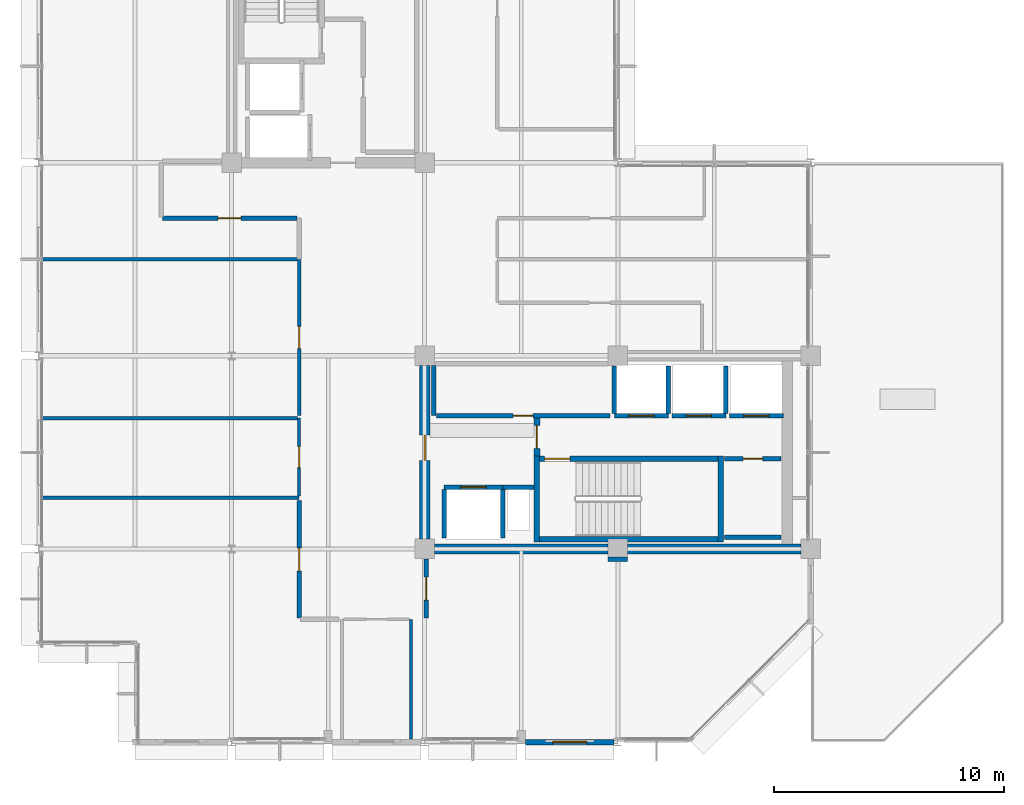
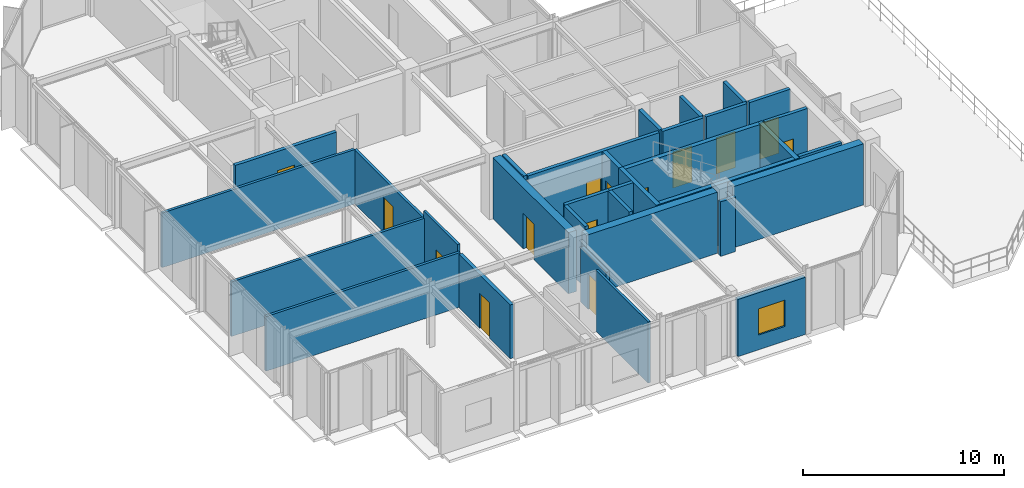
# One storey, part 17 of 23: 33 walls, 14 doors, 1 window, 15 openings.
"""IFC4 building model written with IfcOpenShell, lengths in metres."""

from ifc_helpers import new_model, si_unit, direction, frame, frame_2d, origin, place, context, subcontext, project, spatial, rectangle, extrude, material, layer, layer_set, type_object, element, fill, save


model = new_model("IFC4")

# Units and contexts
model_context = context("Model", 3, precision=1e-05, world=origin(), true_north=direction((0.0, 1.0)))
body_context = subcontext(model_context, "Body", "Model", "MODEL_VIEW")
ifc_project = project(units=[si_unit("LENGTHUNIT", "METRE"), si_unit("AREAUNIT", "SQUARE_METRE"), si_unit("VOLUMEUNIT", "CUBIC_METRE"), si_unit("PLANEANGLEUNIT", "RADIAN"), si_unit("MASSUNIT", "GRAM", prefix="KILO")], contexts=[model_context])

# Site, building, storey
site_placement = place(None, origin())
site = spatial("IfcSite", under=ifc_project, at=site_placement, CompositionType="ELEMENT")
building_placement = place(site_placement, origin())
building = spatial("IfcBuilding", under=site, at=building_placement, Name="Nerrivon Quay Data Exchange", CompositionType="ELEMENT")
storey_placement = place(building_placement, frame((0.0, 0.0, 286.199951171875)))
storey = spatial("IfcBuildingStorey", under=building, at=storey_placement, Name="L68", CompositionType="ELEMENT", Elevation=286.199951171875)

# Wall, opening, window
ifc_material_1 = material(Name="Architectural terracotta precast concrete N50 (50 MPa)", Category="masonry")
ifc_layer_1 = layer(ifc_material_1, 0.239990234375)
ifc_layer_set_1 = layer_set([ifc_layer_1], Name="Architectural terracotta precast concrete N50 (50 MPa)")
wall_type_1 = type_object("IfcWallType", Name="EW-PREC-240", PredefinedType="STANDARD", material=ifc_layer_set_1)
wall_1_placement = place(storey_placement, frame((25.04443359375, 0.0, 0.0), z_axis=(0.0, 0.0, 1.0), x_axis=(-1.0, 0.0, 0.0)))
wall_1 = element("IfcWall", 1, at=wall_1_placement, inside=storey, type_object=wall_type_1, Name="L68 Podium Precast Spandrel Wall 3", PredefinedType="STANDARD", context=body_context, shape_type="SweptSolid", body=[
    extrude(rectangle(XDim=3.869384765625, YDim=0.239990234375, at=frame_2d((1.9345703125, 0.0))), origin(), (0.0, 0.0, 1.0), 3.47509765625),
])
opening_1_placement = place(wall_1_placement, frame((1.184814453125, 0.0, 0.89990234375)))
opening_1 = element("IfcOpeningElement", 2, at=opening_1_placement, cuts=wall_1, Name="Opening WN4", PredefinedType="OPENING", context=body_context, shape_type="SweptSolid", body=[
    extrude(rectangle(XDim=1.5, YDim=1.60009765625, at=frame_2d((0.75, 0.800048828125))), frame((0.0, 0.1298828125, 0.0), z_axis=(0.0, -1.0, 0.0), x_axis=(1.0, 0.0, 0.0)), (0.0, 0.0, 1.0), 0.260009765625),
])
ifc_material_2 = material(Name="Double-glazed low-E solar control glass", Category="glass")
window_type = type_object("IfcWindowType", Name="WIN-W4-1500x1600", PartitioningType="SINGLE_PANEL", PredefinedType="WINDOW", material=ifc_material_2)
window_placement = place(opening_1_placement, origin())
window = element("IfcWindow", 3, at=window_placement, inside=storey, type_object=window_type, Name="L68 Solar Facade Window 3", OverallHeight=1.60009765625, OverallWidth=1.5, PartitioningType="SINGLE_PANEL", PredefinedType="WINDOW", context=body_context, shape_type="SweptSolid", body=[
    extrude(rectangle(XDim=1.5, YDim=1.60009765625, at=frame_2d((0.75, 0.800048828125))), frame((0.0, 0.030029296875, 0.0), z_axis=(0.0, -1.0, 0.0), x_axis=(1.0, 0.0, 0.0)), (0.0, 0.0, 1.0), 0.06005859375),
])
fill(opening_1, window)

# Walls
ifc_material_3 = material(Name="Concrete N50 (50 MPa)", Category="concrete")
ifc_layer_2 = layer(ifc_material_3, 0.449951171875)
ifc_layer_set_2 = layer_set([ifc_layer_2], Name="Concrete N50 (50 MPa)")
wall_type_2 = type_object("IfcWallType", Name="WALL-CW-550", PredefinedType="SHEAR", material=ifc_layer_set_2)
wall_2_placement = place(storey_placement, frame((17.22509765625, 8.39990234375, 0.0), z_axis=(0.0, 0.0, 1.0), x_axis=(1.0, 0.0, 0.0)))
element("IfcWall", 4, at=wall_2_placement, inside=storey, type_object=wall_type_2, Name="L68 East Split-Core Shear Wall ECW-S1", PredefinedType="SHEAR", context=body_context, shape_type="SweptSolid", body=[
    extrude(rectangle(XDim=7.5498046875, YDim=0.449951171875, at=frame_2d((3.77490234375, 0.0))), origin(), (0.0, 0.0, 1.0), 3.72509765625),
])
wall_3_placement = place(storey_placement, frame((25.625, 8.39990234375, 0.0), z_axis=(0.0, 0.0, 1.0), x_axis=(1.0, 0.0, 0.0)))
element("IfcWall", 5, at=wall_3_placement, inside=storey, type_object=wall_type_2, Name="L68 East Split-Core Shear Wall ECW-S2", PredefinedType="SHEAR", context=body_context, shape_type="SweptSolid", body=[
    extrude(rectangle(XDim=7.550048828125, YDim=0.449951171875, at=frame_2d((3.77490234375, 0.0))), origin(), (0.0, 0.0, 1.0), 3.72509765625),
])

# Wall, opening, door
wall_4_placement = place(storey_placement, frame((16.800048828125, 8.824951171875, 0.0), z_axis=(0.0, 0.0, 1.0), x_axis=(0.0, 1.0, 0.0)))
wall_4 = element("IfcWall", 6, at=wall_4_placement, inside=storey, type_object=wall_type_2, Name="L68 East Split-Core Shear Wall ECW-W1", PredefinedType="SHEAR", context=body_context, shape_type="SweptSolid", body=[
    extrude(rectangle(XDim=7.550048828125, YDim=0.449951171875, at=frame_2d((3.77490234375, 0.0))), origin(), (0.0, 0.0, 1.0), 3.72509765625),
])
opening_2_placement = place(wall_4_placement, frame((3.425048828125, 0.0, 0.0)))
opening_2 = element("IfcOpeningElement", 7, at=opening_2_placement, cuts=wall_4, Name="Opening FD-120", PredefinedType="OPENING", context=body_context, shape_type="SweptSolid", body=[
    extrude(rectangle(XDim=1.10009765625, YDim=2.14990234375, at=frame_2d((0.550048828125, 1.074951171875))), frame((0.0, 0.23486328125, 0.0), z_axis=(0.0, -1.0, 0.0), x_axis=(1.0, 0.0, 0.0)), (0.0, 0.0, 1.0), 0.469970703125),
])
ifc_material_4 = material(Name="Powder-coated galvanized steel sheet", Category="steel")
door_type_1 = type_object("IfcDoorType", Name="DR-FD120-1100", OperationType="NOTDEFINED", PredefinedType="DOOR", material=ifc_material_4)
door_1_placement = place(opening_2_placement, origin())
door_1 = element("IfcDoor", 8, at=door_1_placement, inside=storey, type_object=door_type_1, Name="L68 East Core Lobby Fire Door", OperationType="SINGLE_SWING_RIGHT", OverallHeight=2.14990234375, OverallWidth=1.10009765625, PredefinedType="DOOR", context=body_context, shape_type="SweptSolid", body=[
    extrude(rectangle(XDim=1.10009765625, YDim=2.14990234375, at=frame_2d((0.550048828125, 1.074951171875))), frame((0.0, 0.02490234375, 0.0), z_axis=(0.0, -1.0, 0.0), x_axis=(1.0, 0.0, 0.0)), (0.0, 0.0, 1.0), 0.050048828125),
])
fill(opening_2, door_1)

# Wall
ifc_material_5 = material(Name="Gypsum plasterboard on cold-formed framing", Category="gypsum")
ifc_layer_3 = layer(ifc_material_5, 0.199951171875)
ifc_layer_set_3 = layer_set([ifc_layer_3], Name="Gypsum plasterboard on cold-formed framing")
wall_type_3 = type_object("IfcWallType", Name="WALL-FW-200", PredefinedType="PARTITIONING", material=ifc_layer_set_3)
wall_5_placement = place(storey_placement, frame((20.199951171875, 11.080078125, 0.0), z_axis=(0.0, 0.0, 1.0), x_axis=(1.0, 0.0, 0.0)))
element("IfcWall", 9, at=wall_5_placement, inside=storey, type_object=wall_type_3, Name="L68 East Core MEP Riser Shaft Wall N", PredefinedType="PARTITIONING", context=body_context, shape_type="SweptSolid", body=[
    extrude(rectangle(XDim=1.35009765625, YDim=0.199951171875, at=frame_2d((0.675048828125, 0.0))), origin(), (0.0, 0.0, 1.0), 3.72509765625),
])

# Wall, opening, door
wall_6_placement = place(storey_placement, frame((17.64990234375, 11.080078125, 0.0), z_axis=(0.0, 0.0, 1.0), x_axis=(1.0, 0.0, 0.0)))
wall_6 = element("IfcWall", 10, at=wall_6_placement, inside=storey, type_object=wall_type_3, Name="L68 Lift Front Wall FFL-2", PredefinedType="PARTITIONING", context=body_context, shape_type="SweptSolid", body=[
    extrude(rectangle(XDim=2.550048828125, YDim=0.199951171875, at=frame_2d((1.27490234375, 0.0))), origin(), (0.0, 0.0, 1.0), 3.72509765625),
])
opening_3_placement = place(wall_6_placement, frame((0.72509765625, 0.0, 0.0)))
opening_3 = element("IfcOpeningElement", 11, at=opening_3_placement, cuts=wall_6, Name="Opening LD-120", PredefinedType="OPENING", context=body_context, shape_type="SweptSolid", body=[
    extrude(rectangle(XDim=1.10009765625, YDim=2.199951171875, at=frame_2d((0.550048828125, 1.10009765625))), frame((0.0, 0.10986328125, 0.0), z_axis=(0.0, -1.0, 0.0), x_axis=(1.0, 0.0, 0.0)), (0.0, 0.0, 1.0), 0.219970703125),
])
door_type_2 = type_object("IfcDoorType", Name="DR-LIFT-LD120", OperationType="DOUBLE_DOOR_SLIDING", PredefinedType="DOOR", material=ifc_material_4)
door_2_placement = place(opening_3_placement, origin())
door_2 = element("IfcDoor", 12, at=door_2_placement, inside=storey, type_object=door_type_2, Name="L68 Lift Landing Sliding Door FFL-2", OperationType="DOUBLE_DOOR_SLIDING", OverallHeight=2.199951171875, OverallWidth=1.10009765625, PredefinedType="DOOR", context=body_context, shape_type="SweptSolid", body=[
    extrude(rectangle(XDim=1.10009765625, YDim=2.199951171875, at=frame_2d((0.550048828125, 1.10009765625))), frame((0.0, 0.02490234375, 0.0), z_axis=(0.0, -1.0, 0.0), x_axis=(1.0, 0.0, 0.0)), (0.0, 0.0, 1.0), 0.050048828125),
])
fill(opening_3, door_2)

# Walls
for number, where, z_axis, x_axis, name in (
    (13, (20.199951171875, 8.8798828125, 0.0), (0.0, 0.0, 1.0), (0.0, 1.0, 0.0), "L68 Lift Shaft Wall FFL-2 EAST"),
    (14, (17.64990234375, 8.8798828125, 0.0), (0.0, 0.0, 1.0), (0.0, 1.0, 0.0), "L68 Lift Shaft Wall FFL-2 WEST"),
):
    element("IfcWall", number, at=place(storey_placement, frame(where, z_axis=z_axis, x_axis=x_axis)), inside=storey, type_object=wall_type_3, Name=name, PredefinedType="PARTITIONING", context=body_context, shape_type="SweptSolid", body=[
        extrude(rectangle(XDim=2.10009765625, YDim=0.199951171875, at=frame_2d((1.050048828125, 0.0))), origin(), (0.0, 0.0, 1.0), 3.72509765625),
    ])

# Wall, opening, door
wall_7_placement = place(storey_placement, frame((25.050048828125, 14.199951171875, 0.0), z_axis=(0.0, 0.0, 1.0), x_axis=(1.0, 0.0, 0.0)))
wall_7 = element("IfcWall", 15, at=wall_7_placement, inside=storey, type_object=wall_type_3, Name="L68 Lift Front Wall PL7", PredefinedType="PARTITIONING", context=body_context, shape_type="SweptSolid", body=[
    extrude(rectangle(XDim=2.349853515625, YDim=0.199951171875, at=frame_2d((1.1748046875, 0.0))), origin(), (0.0, 0.0, 1.0), 3.72509765625),
])
opening_4_placement = place(wall_7_placement, frame((0.625, 0.0, 0.0)))
opening_4 = element("IfcOpeningElement", 16, at=opening_4_placement, cuts=wall_7, Name="Opening LD-120", PredefinedType="OPENING", context=body_context, shape_type="SweptSolid", body=[
    extrude(rectangle(XDim=1.10009765625, YDim=2.199951171875, at=frame_2d((0.550048828125, 1.10009765625))), frame((0.0, 0.10986328125, 0.0), z_axis=(0.0, -1.0, 0.0), x_axis=(1.0, 0.0, 0.0)), (0.0, 0.0, 1.0), 0.219970703125),
])
door_3_placement = place(opening_4_placement, origin())
door_3 = element("IfcDoor", 17, at=door_3_placement, inside=storey, type_object=door_type_2, Name="L68 Lift Landing Sliding Door PL7", OperationType="DOUBLE_DOOR_SLIDING", OverallHeight=2.199951171875, OverallWidth=1.10009765625, PredefinedType="DOOR", context=body_context, shape_type="SweptSolid", body=[
    extrude(rectangle(XDim=1.10009765625, YDim=2.199951171875, at=frame_2d((0.550048828125, 1.10009765625))), frame((0.0, 0.02490234375, 0.0), z_axis=(0.0, -1.0, 0.0), x_axis=(1.0, 0.0, 0.0)), (0.0, 0.0, 1.0), 0.050048828125),
])
fill(opening_4, door_3)

# Walls
for number, where, z_axis, x_axis, name in (
    (18, (27.39990234375, 14.300048828125, 0.0), (0.0, 0.0, 1.0), (0.0, 1.0, 0.0), "L68 Lift Shaft Wall PL7 EAST"),
    (19, (25.050048828125, 14.300048828125, 0.0), (0.0, 0.0, 1.0), (0.0, 1.0, 0.0), "L68 Lift Shaft Wall PL7 WEST"),
):
    element("IfcWall", number, at=place(storey_placement, frame(where, z_axis=z_axis, x_axis=x_axis)), inside=storey, type_object=wall_type_3, Name=name, PredefinedType="PARTITIONING", context=body_context, shape_type="SweptSolid", body=[
        extrude(rectangle(XDim=2.050048828125, YDim=0.199951171875, at=frame_2d((1.02490234375, 0.0))), origin(), (0.0, 0.0, 1.0), 3.72509765625),
    ])

# Wall, opening, door
wall_8_placement = place(storey_placement, frame((27.550048828125, 14.199951171875, 0.0), z_axis=(0.0, 0.0, 1.0), x_axis=(1.0, 0.0, 0.0)))
wall_8 = element("IfcWall", 20, at=wall_8_placement, inside=storey, type_object=wall_type_3, Name="L68 Lift Front Wall PL8", PredefinedType="PARTITIONING", context=body_context, shape_type="SweptSolid", body=[
    extrude(rectangle(XDim=2.349853515625, YDim=0.199951171875, at=frame_2d((1.1748046875, 0.0))), origin(), (0.0, 0.0, 1.0), 3.72509765625),
])
opening_5_placement = place(wall_8_placement, frame((0.625, 0.0, 0.0)))
opening_5 = element("IfcOpeningElement", 21, at=opening_5_placement, cuts=wall_8, Name="Opening LD-120", PredefinedType="OPENING", context=body_context, shape_type="SweptSolid", body=[
    extrude(rectangle(XDim=1.10009765625, YDim=2.199951171875, at=frame_2d((0.550048828125, 1.10009765625))), frame((0.0, 0.10986328125, 0.0), z_axis=(0.0, -1.0, 0.0), x_axis=(1.0, 0.0, 0.0)), (0.0, 0.0, 1.0), 0.219970703125),
])
door_4_placement = place(opening_5_placement, origin())
door_4 = element("IfcDoor", 22, at=door_4_placement, inside=storey, type_object=door_type_2, Name="L68 Lift Landing Sliding Door PL8", OperationType="DOUBLE_DOOR_SLIDING", OverallHeight=2.199951171875, OverallWidth=1.10009765625, PredefinedType="DOOR", context=body_context, shape_type="SweptSolid", body=[
    extrude(rectangle(XDim=1.10009765625, YDim=2.199951171875, at=frame_2d((0.550048828125, 1.10009765625))), frame((0.0, 0.02490234375, 0.0), z_axis=(0.0, -1.0, 0.0), x_axis=(1.0, 0.0, 0.0)), (0.0, 0.0, 1.0), 0.050048828125),
])
fill(opening_5, door_4)

# Wall
wall_9_placement = place(storey_placement, frame((29.89990234375, 14.300048828125, 0.0), z_axis=(0.0, 0.0, 1.0), x_axis=(0.0, 1.0, 0.0)))
element("IfcWall", 23, at=wall_9_placement, inside=storey, type_object=wall_type_3, Name="L68 Lift Shaft Wall PL8 EAST", PredefinedType="PARTITIONING", context=body_context, shape_type="SweptSolid", body=[
    extrude(rectangle(XDim=2.050048828125, YDim=0.199951171875, at=frame_2d((1.02490234375, 0.0))), origin(), (0.0, 0.0, 1.0), 3.72509765625),
])

# Wall, opening, door
wall_10_placement = place(storey_placement, frame((30.050048828125, 14.199951171875, 0.0), z_axis=(0.0, 0.0, 1.0), x_axis=(1.0, 0.0, 0.0)))
wall_10 = element("IfcWall", 24, at=wall_10_placement, inside=storey, type_object=wall_type_3, Name="L68 Lift Front Wall PL9", PredefinedType="PARTITIONING", context=body_context, shape_type="SweptSolid", body=[
    extrude(rectangle(XDim=2.349853515625, YDim=0.199951171875, at=frame_2d((1.1748046875, 0.0))), origin(), (0.0, 0.0, 1.0), 3.72509765625),
])
opening_6_placement = place(wall_10_placement, frame((0.625, 0.0, 0.0)))
opening_6 = element("IfcOpeningElement", 25, at=opening_6_placement, cuts=wall_10, Name="Opening LD-120", PredefinedType="OPENING", context=body_context, shape_type="SweptSolid", body=[
    extrude(rectangle(XDim=1.10009765625, YDim=2.199951171875, at=frame_2d((0.550048828125, 1.10009765625))), frame((0.0, 0.10986328125, 0.0), z_axis=(0.0, -1.0, 0.0), x_axis=(1.0, 0.0, 0.0)), (0.0, 0.0, 1.0), 0.219970703125),
])
door_5_placement = place(opening_6_placement, origin())
door_5 = element("IfcDoor", 26, at=door_5_placement, inside=storey, type_object=door_type_2, Name="L68 Lift Landing Sliding Door PL9", OperationType="DOUBLE_DOOR_SLIDING", OverallHeight=2.199951171875, OverallWidth=1.10009765625, PredefinedType="DOOR", context=body_context, shape_type="SweptSolid", body=[
    extrude(rectangle(XDim=1.10009765625, YDim=2.199951171875, at=frame_2d((0.550048828125, 1.10009765625))), frame((0.0, 0.02490234375, 0.0), z_axis=(0.0, -1.0, 0.0), x_axis=(1.0, 0.0, 0.0)), (0.0, 0.0, 1.0), 0.050048828125),
])
fill(opening_6, door_5)

# Wall
wall_11_placement = place(storey_placement, frame((17.199951171875, 16.3701171875, 0.0), z_axis=(0.0, 0.0, 1.0), x_axis=(0.0, -1.0, 0.0)))
element("IfcWall", 27, at=wall_11_placement, inside=storey, type_object=wall_type_3, Name="L68 Partition High-Zone Telemetry Equipment Store", PredefinedType="PARTITIONING", context=body_context, shape_type="SweptSolid", body=[
    extrude(rectangle(XDim=2.170166015625, YDim=0.199951171875, at=frame_2d((1.0849609375, 0.0))), origin(), (0.0, 0.0, 1.0), 3.72509765625),
])

# Wall, opening, door
wall_12_placement = place(storey_placement, frame((17.303955078125, 14.199951171875, 0.0), z_axis=(0.0, 0.0, 1.0), x_axis=(1.0, 0.0, 0.0)))
wall_12 = element("IfcWall", 28, at=wall_12_placement, inside=storey, type_object=wall_type_3, Name="L68 Partition High-Zone Telemetry Equipment Store", PredefinedType="PARTITIONING", context=body_context, shape_type="SweptSolid", body=[
    extrude(rectangle(XDim=7.546142578125, YDim=0.199951171875, at=frame_2d((3.77294921875, 0.0))), origin(), (0.0, 0.0, 1.0), 3.72509765625),
])
opening_7_placement = place(wall_12_placement, frame((3.347900390625, 0.0, 0.0)))
opening_7 = element("IfcOpeningElement", 29, at=opening_7_placement, cuts=wall_12, Name="Opening FD-60S", PredefinedType="OPENING", context=body_context, shape_type="SweptSolid", body=[
    extrude(rectangle(XDim=0.85009765625, YDim=2.14990234375, at=frame_2d((0.425048828125, 1.074951171875))), frame((0.0, 0.10986328125, 0.0), z_axis=(0.0, -1.0, 0.0), x_axis=(1.0, 0.0, 0.0)), (0.0, 0.0, 1.0), 0.219970703125),
])
ifc_material_6 = material(Name="Engineered hardwood timber", Category="wood")
door_type_3 = type_object("IfcDoorType", Name="DR-FD60-850", OperationType="NOTDEFINED", PredefinedType="DOOR", material=ifc_material_6)
door_6_placement = place(opening_7_placement, origin())
door_6 = element("IfcDoor", 30, at=door_6_placement, inside=storey, type_object=door_type_3, Name="L68 Door High-Zone Telemetry Equipment Store", OperationType="SINGLE_SWING_LEFT", OverallHeight=2.14990234375, OverallWidth=0.85009765625, PredefinedType="DOOR", context=body_context, shape_type="SweptSolid", body=[
    extrude(rectangle(XDim=0.85009765625, YDim=2.14990234375, at=frame_2d((0.425048828125, 1.074951171875))), frame((0.0, 0.02490234375, 0.0), z_axis=(0.0, -1.0, 0.0), x_axis=(1.0, 0.0, 0.0)), (0.0, 0.0, 1.0), 0.050048828125),
])
fill(opening_7, door_6)

wall_13_placement = place(storey_placement, frame((32.300048828125, 12.330078125, 0.0), z_axis=(0.0, 0.0, 1.0), x_axis=(-1.0, 0.0, 0.0)))
wall_13 = element("IfcWall", 31, at=wall_13_placement, inside=storey, type_object=wall_type_3, Name="L68 Partition East Telecom Closet", PredefinedType="PARTITIONING", context=body_context, shape_type="SweptSolid", body=[
    extrude(rectangle(XDim=2.449951171875, YDim=0.199951171875, at=frame_2d((1.22509765625, 0.0))), origin(), (0.0, 0.0, 1.0), 3.72509765625),
])
opening_8_placement = place(wall_13_placement, frame((0.800048828125, 0.0, 0.0)))
opening_8 = element("IfcOpeningElement", 32, at=opening_8_placement, cuts=wall_13, Name="Opening FD-60S", PredefinedType="OPENING", context=body_context, shape_type="SweptSolid", body=[
    extrude(rectangle(XDim=0.85009765625, YDim=2.14990234375, at=frame_2d((0.425048828125, 1.074951171875))), frame((0.0, 0.10986328125, 0.0), z_axis=(0.0, -1.0, 0.0), x_axis=(1.0, 0.0, 0.0)), (0.0, 0.0, 1.0), 0.219970703125),
])
door_7_placement = place(opening_8_placement, origin())
door_7 = element("IfcDoor", 33, at=door_7_placement, inside=storey, type_object=door_type_3, Name="L68 Door East Telecom Closet", OperationType="SINGLE_SWING_RIGHT", OverallHeight=2.14990234375, OverallWidth=0.85009765625, PredefinedType="DOOR", context=body_context, shape_type="SweptSolid", body=[
    extrude(rectangle(XDim=0.85009765625, YDim=2.14990234375, at=frame_2d((0.425048828125, 1.074951171875))), frame((0.0, 0.02490234375, 0.0), z_axis=(0.0, -1.0, 0.0), x_axis=(1.0, 0.0, 0.0)), (0.0, 0.0, 1.0), 0.050048828125),
])
fill(opening_8, door_7)

# Wall
wall_14_placement = place(storey_placement, frame((29.85009765625, 8.89990234375, 0.0), z_axis=(0.0, 0.0, 1.0), x_axis=(1.0, 0.0, 0.0)))
element("IfcWall", 34, at=wall_14_placement, inside=storey, type_object=wall_type_3, Name="L68 Partition East Telecom Closet", PredefinedType="PARTITIONING", context=body_context, shape_type="SweptSolid", body=[
    extrude(rectangle(XDim=2.449951171875, YDim=0.199951171875, at=frame_2d((1.22509765625, 0.0))), origin(), (0.0, 0.0, 1.0), 3.72509765625),
])

# Wall, opening, door
wall_15_placement = place(storey_placement, frame((11.340087890625, 5.39990234375, 0.0), z_axis=(0.0, 0.0, 1.0), x_axis=(0.0, 1.0, 0.0)))
wall_15 = element("IfcWall", 35, at=wall_15_placement, inside=storey, type_object=wall_type_3, Name="L68 Partition Colocation Data Workspace 1", PredefinedType="PARTITIONING", context=body_context, shape_type="SweptSolid", body=[
    extrude(rectangle(XDim=5.098876953125, YDim=0.199951171875, at=frame_2d((2.54931640625, 0.0))), origin(), (0.0, 0.0, 1.0), 3.27099609375),
])
opening_9_placement = place(wall_15_placement, frame((2.04931640625, 0.0, 0.0)))
opening_9 = element("IfcOpeningElement", 36, at=opening_9_placement, cuts=wall_15, Name="Opening FD-60", PredefinedType="OPENING", context=body_context, shape_type="SweptSolid", body=[
    extrude(rectangle(XDim=1.0, YDim=2.14990234375, at=frame_2d((0.5, 1.074951171875))), frame((0.0, 0.10986328125, 0.0), z_axis=(0.0, -1.0, 0.0), x_axis=(1.0, 0.0, 0.0)), (0.0, 0.0, 1.0), 0.219970703125),
])
door_type_4 = type_object("IfcDoorType", Name="DR-FD60-1000", OperationType="NOTDEFINED", PredefinedType="DOOR", material=ifc_material_6)
door_8_placement = place(opening_9_placement, origin())
door_8 = element("IfcDoor", 37, at=door_8_placement, inside=storey, type_object=door_type_4, Name="L68 Door Colocation Data Workspace 1", OperationType="SINGLE_SWING_LEFT", OverallHeight=2.14990234375, OverallWidth=1.0, PredefinedType="DOOR", context=body_context, shape_type="SweptSolid", body=[
    extrude(rectangle(XDim=1.0, YDim=2.14990234375, at=frame_2d((0.5, 1.074951171875))), frame((0.0, 0.02490234375, 0.0), z_axis=(0.0, -1.0, 0.0), x_axis=(1.0, 0.0, 0.0)), (0.0, 0.0, 1.0), 0.050048828125),
])
fill(opening_9, door_8)

# Wall
wall_16_placement = place(storey_placement, frame((25.630859375, 7.955810546875, 0.0), z_axis=(0.0, 0.0, 1.0), x_axis=(-0.99999963391, -0.000855675671, 0.0)))
element("IfcWall", 38, at=wall_16_placement, inside=storey, type_object=wall_type_3, Name="L68 Partition Sky Lobby Concierge Foyer", PredefinedType="PARTITIONING", context=body_context, shape_type="SweptSolid", body=[
    extrude(rectangle(XDim=0.85595703125, YDim=0.199951171875, at=frame_2d((0.427978515625, 0.0))), origin(), (0.0, 0.0, 1.0), 3.319091796875),
])

# Wall, opening, door
wall_17_placement = place(storey_placement, frame((16.860107421875, 7.955078125, 0.0), z_axis=(0.0, 0.0, 1.0), x_axis=(0.0, -1.0, 0.0)))
wall_17 = element("IfcWall", 39, at=wall_17_placement, inside=storey, type_object=wall_type_3, Name="L68 Partition Sky Lobby Concierge Foyer", PredefinedType="PARTITIONING", context=body_context, shape_type="SweptSolid", body=[
    extrude(rectangle(XDim=2.55517578125, YDim=0.199951171875, at=frame_2d((1.277587890625, 0.0))), origin(), (0.0, 0.0, 1.0), 3.319091796875),
])
opening_10_placement = place(wall_17_placement, frame((0.777587890625, 0.0, 0.0)))
opening_10 = element("IfcOpeningElement", 40, at=opening_10_placement, cuts=wall_17, Name="Opening FD-60", PredefinedType="OPENING", context=body_context, shape_type="SweptSolid", body=[
    extrude(rectangle(XDim=1.0, YDim=2.14990234375, at=frame_2d((0.5, 1.074951171875))), frame((0.0, 0.10986328125, 0.0), z_axis=(0.0, -1.0, 0.0), x_axis=(1.0, 0.0, 0.0)), (0.0, 0.0, 1.0), 0.219970703125),
])
door_9_placement = place(opening_10_placement, origin())
door_9 = element("IfcDoor", 41, at=door_9_placement, inside=storey, type_object=door_type_4, Name="L68 Door Sky Lobby Concierge Foyer", OperationType="SINGLE_SWING_RIGHT", OverallHeight=2.14990234375, OverallWidth=1.0, PredefinedType="DOOR", context=body_context, shape_type="SweptSolid", body=[
    extrude(rectangle(XDim=1.0, YDim=2.14990234375, at=frame_2d((0.5, 1.074951171875))), frame((0.0, 0.02490234375, 0.0), z_axis=(0.0, -1.0, 0.0), x_axis=(1.0, 0.0, 0.0)), (0.0, 0.0, 1.0), 0.050048828125),
])
fill(opening_10, door_9)

wall_18_placement = place(storey_placement, frame((11.236083984375, 22.7900390625, 0.0), z_axis=(0.0, 0.0, 1.0), x_axis=(-1.0, 0.0, 0.0)))
wall_18 = element("IfcWall", 42, at=wall_18_placement, inside=storey, type_object=wall_type_3, Name="L68 Partition Sky Lobby Transfer Concourse", PredefinedType="PARTITIONING", context=body_context, shape_type="SweptSolid", body=[
    extrude(rectangle(XDim=5.836181640625, YDim=0.199951171875, at=frame_2d((2.91796875, 0.0))), origin(), (0.0, 0.0, 1.0), 3.319091796875),
])
opening_11_placement = place(wall_18_placement, frame((2.41796875, 0.0, 0.0)))
opening_11 = element("IfcOpeningElement", 43, at=opening_11_placement, cuts=wall_18, Name="Opening FD-60", PredefinedType="OPENING", context=body_context, shape_type="SweptSolid", body=[
    extrude(rectangle(XDim=1.0, YDim=2.14990234375, at=frame_2d((0.5, 1.074951171875))), frame((0.0, 0.10986328125, 0.0), z_axis=(0.0, -1.0, 0.0), x_axis=(1.0, 0.0, 0.0)), (0.0, 0.0, 1.0), 0.219970703125),
])
door_10_placement = place(opening_11_placement, origin())
door_10 = element("IfcDoor", 44, at=door_10_placement, inside=storey, type_object=door_type_4, Name="L68 Door Sky Lobby Transfer Concourse", OperationType="SINGLE_SWING_LEFT", OverallHeight=2.14990234375, OverallWidth=1.0, PredefinedType="DOOR", context=body_context, shape_type="SweptSolid", body=[
    extrude(rectangle(XDim=1.0, YDim=2.14990234375, at=frame_2d((0.5, 1.074951171875))), frame((0.0, 0.02490234375, 0.0), z_axis=(0.0, -1.0, 0.0), x_axis=(1.0, 0.0, 0.0)), (0.0, 0.0, 1.0), 0.050048828125),
])
fill(opening_11, door_10)

# Wall
ifc_layer_4 = layer(ifc_material_5, 0.135009765625)
ifc_layer_set_4 = layer_set([ifc_layer_4], Name="Gypsum plasterboard on cold-formed framing")
wall_type_4 = type_object("IfcWallType", Name="WALL-PT-135", PredefinedType="PARTITIONING", material=ifc_layer_set_4)
wall_19_placement = place(storey_placement, frame((16.199951171875, 0.1240234375, 0.0), z_axis=(0.0, 0.0, 1.0), x_axis=(0.0, 1.0, 0.0)))
element("IfcWall", 45, at=wall_19_placement, inside=storey, type_object=wall_type_4, Name="L68 Partition Accessible Toilet", PredefinedType="PARTITIONING", context=body_context, shape_type="SweptSolid", body=[
    extrude(rectangle(XDim=5.216064453125, YDim=0.135009765625, at=frame_2d((2.60791015625, 0.0))), origin(), (0.0, 0.0, 1.0), 3.72509765625),
])

# Wall, opening, door
wall_20_placement = place(storey_placement, frame((11.340087890625, 10.69775390625, 0.0), z_axis=(0.0, 0.0, 1.0), x_axis=(0.0, 1.0, 0.0)))
wall_20 = element("IfcWall", 46, at=wall_20_placement, inside=storey, type_object=wall_type_4, Name="L68 Partition Public Washrooms", PredefinedType="PARTITIONING", context=body_context, shape_type="SweptSolid", body=[
    extrude(rectangle(XDim=3.390625, YDim=0.135009765625, at=frame_2d((1.6953125, 0.0))), origin(), (0.0, 0.0, 1.0), 3.72509765625),
])
opening_12_placement = place(wall_20_placement, frame((1.2353515625, 0.0, 0.0)))
opening_12 = element("IfcOpeningElement", 47, at=opening_12_placement, cuts=wall_20, Name="Opening D-WC", PredefinedType="OPENING", context=body_context, shape_type="SweptSolid", body=[
    extrude(rectangle(XDim=0.919921875, YDim=2.10009765625, at=frame_2d((0.4599609375, 1.050048828125))), frame((0.0, 0.077392578125, 0.0), z_axis=(0.0, -1.0, 0.0), x_axis=(1.0, 0.0, 0.0)), (0.0, 0.0, 1.0), 0.155029296875),
])
door_type_5 = type_object("IfcDoorType", Name="DR-WC-920", OperationType="NOTDEFINED", PredefinedType="DOOR", material=ifc_material_6)
door_11_placement = place(opening_12_placement, origin())
door_11 = element("IfcDoor", 48, at=door_11_placement, inside=storey, type_object=door_type_5, Name="L68 Door Public Washrooms", OperationType="SINGLE_SWING_RIGHT", OverallHeight=2.10009765625, OverallWidth=0.919921875, PredefinedType="DOOR", context=body_context, shape_type="SweptSolid", body=[
    extrude(rectangle(XDim=0.919921875, YDim=2.10009765625, at=frame_2d((0.4599609375, 1.050048828125))), frame((0.0, 0.02490234375, 0.0), z_axis=(0.0, -1.0, 0.0), x_axis=(1.0, 0.0, 0.0)), (0.0, 0.0, 1.0), 0.050048828125),
])
fill(opening_12, door_11)

# Walls
ifc_layer_5 = layer(ifc_material_5, 0.14990234375)
ifc_layer_set_5 = layer_set([ifc_layer_5], Name="Gypsum plasterboard on cold-formed framing")
wall_type_5 = type_object("IfcWallType", Name="WALL-PT-150", PredefinedType="PARTITIONING", material=ifc_layer_set_5)
wall_21_placement = place(storey_placement, frame((0.1689453125, 10.618896484375, 0.0), z_axis=(0.0, 0.0, 1.0), x_axis=(1.0, 0.0, 0.0)))
element("IfcWall", 49, at=wall_21_placement, inside=storey, type_object=wall_type_5, Name="L68 Partition Public Washrooms", PredefinedType="PARTITIONING", context=body_context, shape_type="SweptSolid", body=[
    extrude(rectangle(XDim=11.171142578125, YDim=0.14990234375, at=frame_2d((5.58544921875, 0.0))), origin(), (0.0, 0.0, 1.0), 3.319091796875),
])
wall_22_placement = place(storey_placement, frame((11.2685546875, 14.08837890625, 0.0), z_axis=(0.0, 0.0, 1.0), x_axis=(-1.0, 0.0, 0.0)))
element("IfcWall", 50, at=wall_22_placement, inside=storey, type_object=wall_type_5, Name="L68 Partition Public Washrooms", PredefinedType="PARTITIONING", context=body_context, shape_type="SweptSolid", body=[
    extrude(rectangle(XDim=11.099609375, YDim=0.14990234375, at=frame_2d((5.5498046875, 0.0))), origin(), (0.0, 0.0, 1.0), 3.319091796875),
])

# Wall, opening, door
wall_23_placement = place(storey_placement, frame((11.340087890625, 14.20849609375, 0.0), z_axis=(0.0, 0.0, 1.0), x_axis=(0.0, 1.0, 0.0)))
wall_23 = element("IfcWall", 51, at=wall_23_placement, inside=storey, type_object=wall_type_5, Name="L68 Partition Staff Pantry", PredefinedType="PARTITIONING", context=body_context, shape_type="SweptSolid", body=[
    extrude(rectangle(XDim=6.79150390625, YDim=0.14990234375, at=frame_2d((3.395751953125, 0.0))), origin(), (0.0, 0.0, 1.0), 3.27099609375),
])
opening_13_placement = place(wall_23_placement, frame((2.9208984375, 0.0, 0.0)))
opening_13 = element("IfcOpeningElement", 52, at=opening_13_placement, cuts=wall_23, Name="Opening D-01", PredefinedType="OPENING", context=body_context, shape_type="SweptSolid", body=[
    extrude(rectangle(XDim=0.949951171875, YDim=2.14990234375, at=frame_2d((0.47509765625, 1.074951171875))), frame((0.0, 0.0849609375, 0.0), z_axis=(0.0, -1.0, 0.0), x_axis=(1.0, 0.0, 0.0)), (0.0, 0.0, 1.0), 0.169921875),
])
door_type_6 = type_object("IfcDoorType", Name="DR-INT-950", OperationType="NOTDEFINED", PredefinedType="DOOR", material=ifc_material_6)
door_12_placement = place(opening_13_placement, origin())
door_12 = element("IfcDoor", 53, at=door_12_placement, inside=storey, type_object=door_type_6, Name="L68 Door Staff Pantry", OperationType="SINGLE_SWING_LEFT", OverallHeight=2.14990234375, OverallWidth=0.949951171875, PredefinedType="DOOR", context=body_context, shape_type="SweptSolid", body=[
    extrude(rectangle(XDim=0.949951171875, YDim=2.14990234375, at=frame_2d((0.47509765625, 1.074951171875))), frame((0.0, 0.02490234375, 0.0), z_axis=(0.0, -1.0, 0.0), x_axis=(1.0, 0.0, 0.0)), (0.0, 0.0, 1.0), 0.050048828125),
])
fill(opening_13, door_12)

# Walls
wall_24_placement = place(storey_placement, frame((11.260986328125, 21.0, 0.0), z_axis=(0.0, 0.0, 1.0), x_axis=(-1.0, 0.0, 0.0)))
element("IfcWall", 54, at=wall_24_placement, inside=storey, type_object=wall_type_5, Name="L68 Partition Staff Pantry", PredefinedType="PARTITIONING", context=body_context, shape_type="SweptSolid", body=[
    extrude(rectangle(XDim=11.092041015625, YDim=0.14990234375, at=frame_2d((5.5458984375, 0.0))), origin(), (0.0, 0.0, 1.0), 3.319091796875),
])
ifc_layer_6 = layer(ifc_material_3, 0.25)
ifc_layer_set_6 = layer_set([ifc_layer_6], Name="Concrete N50 (50 MPa)")
wall_type_6 = type_object("IfcWallType", Name="WALL-SW-250", PredefinedType="SHEAR", material=ifc_layer_set_6)
for number, where, z_axis, x_axis, name in (
    (55, (21.675048828125, 8.699951171875, 0.0), (0.0, 0.0, 1.0), (0.0, 1.0, 0.0), "L68 ST02 Structural Stair Core Wall NEAR"),
    (56, (29.675048828125, 8.699951171875, 0.0), (0.0, 0.0, 1.0), (0.0, 1.0, 0.0), "L68 ST02 Structural Stair Core Wall FAR"),
):
    element("IfcWall", number, at=place(storey_placement, frame(where, z_axis=z_axis, x_axis=x_axis)), inside=storey, type_object=wall_type_6, Name=name, PredefinedType="SHEAR", context=body_context, shape_type="SweptSolid", body=[
        extrude(rectangle(XDim=3.75, YDim=0.25, at=frame_2d((1.875, 0.0))), origin(), (0.0, 0.0, 1.0), 3.72509765625),
    ])
wall_25_placement = place(storey_placement, frame((21.800048828125, 8.824951171875, 0.0), z_axis=(0.0, 0.0, 1.0), x_axis=(1.0, 0.0, 0.0)))
element("IfcWall", 57, at=wall_25_placement, inside=storey, type_object=wall_type_6, Name="L68 ST02 Structural Stair Core Wall LEFT", PredefinedType="SHEAR", context=body_context, shape_type="SweptSolid", body=[
    extrude(rectangle(XDim=7.75, YDim=0.25, at=frame_2d((3.875, 0.0))), origin(), (0.0, 0.0, 1.0), 3.72509765625),
])

# Wall, opening, door
wall_26_placement = place(storey_placement, frame((21.800048828125, 12.324951171875, 0.0), z_axis=(0.0, 0.0, 1.0), x_axis=(1.0, 0.0, 0.0)))
wall_26 = element("IfcWall", 58, at=wall_26_placement, inside=storey, type_object=wall_type_6, Name="L68 ST02 Structural Stair Core Wall RIGHT", PredefinedType="SHEAR", context=body_context, shape_type="SweptSolid", body=[
    extrude(rectangle(XDim=7.75, YDim=0.25, at=frame_2d((3.875, 0.0))), origin(), (0.0, 0.0, 1.0), 3.72509765625),
])
opening_14_placement = place(wall_26_placement, frame((0.219970703125, 0.0, 0.0)))
opening_14 = element("IfcOpeningElement", 59, at=opening_14_placement, cuts=wall_26, Name="Opening FD-120", PredefinedType="OPENING", context=body_context, shape_type="SweptSolid", body=[
    extrude(rectangle(XDim=1.10009765625, YDim=2.14990234375, at=frame_2d((0.550048828125, 1.074951171875))), frame((0.0, 0.135009765625, 0.0), z_axis=(0.0, -1.0, 0.0), x_axis=(1.0, 0.0, 0.0)), (0.0, 0.0, 1.0), 0.27001953125),
])
door_13_placement = place(opening_14_placement, origin())
door_13 = element("IfcDoor", 60, at=door_13_placement, inside=storey, type_object=door_type_1, Name="L68 Protected Stair Door ST02", OperationType="SINGLE_SWING_RIGHT", OverallHeight=2.14990234375, OverallWidth=1.10009765625, PredefinedType="DOOR", context=body_context, shape_type="SweptSolid", body=[
    extrude(rectangle(XDim=1.10009765625, YDim=2.14990234375, at=frame_2d((0.550048828125, 1.074951171875))), frame((0.0, 0.02490234375, 0.0), z_axis=(0.0, -1.0, 0.0), x_axis=(1.0, 0.0, 0.0)), (0.0, 0.0, 1.0), 0.050048828125),
])
fill(opening_14, door_13)

wall_27_placement = place(storey_placement, frame((21.679931640625, 12.449951171875, 0.0), z_axis=(0.0, 0.0, 1.0), x_axis=(0.0, 1.0, 0.0)))
wall_27 = element("IfcWall", 61, at=wall_27_placement, inside=storey, type_object=wall_type_6, Name="L68 East Firefighting Lobby Wall", PredefinedType="SHEAR", context=body_context, shape_type="SweptSolid", body=[
    extrude(rectangle(XDim=1.650146484375, YDim=0.25, at=frame_2d((0.8251953125, 0.0))), origin(), (0.0, 0.0, 1.0), 3.72509765625),
])
opening_15_placement = place(wall_27_placement, frame((0.324951171875, 0.0, 0.0)))
opening_15 = element("IfcOpeningElement", 62, at=opening_15_placement, cuts=wall_27, Name="Opening FD-60", PredefinedType="OPENING", context=body_context, shape_type="SweptSolid", body=[
    extrude(rectangle(XDim=1.0, YDim=2.14990234375, at=frame_2d((0.5, 1.074951171875))), frame((0.0, 0.135009765625, 0.0), z_axis=(0.0, -1.0, 0.0), x_axis=(1.0, 0.0, 0.0)), (0.0, 0.0, 1.0), 0.27001953125),
])
door_14_placement = place(opening_15_placement, origin())
door_14 = element("IfcDoor", 63, at=door_14_placement, inside=storey, type_object=door_type_4, Name="L68 East Firefighting Lobby Fire Door", OperationType="SINGLE_SWING_RIGHT", OverallHeight=2.14990234375, OverallWidth=1.0, PredefinedType="DOOR", context=body_context, shape_type="SweptSolid", body=[
    extrude(rectangle(XDim=1.0, YDim=2.14990234375, at=frame_2d((0.5, 1.074951171875))), frame((0.0, 0.02490234375, 0.0), z_axis=(0.0, -1.0, 0.0), x_axis=(1.0, 0.0, 0.0)), (0.0, 0.0, 1.0), 0.050048828125),
])
fill(opening_15, door_14)

save(model, "model.ifc")
